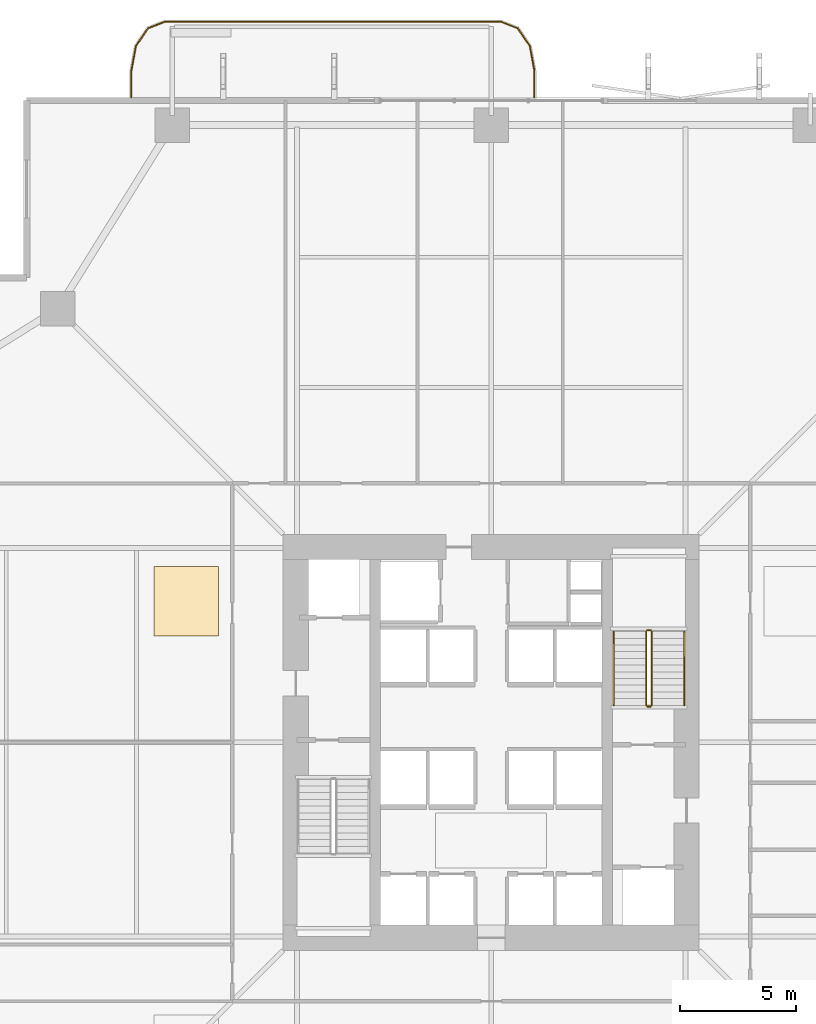
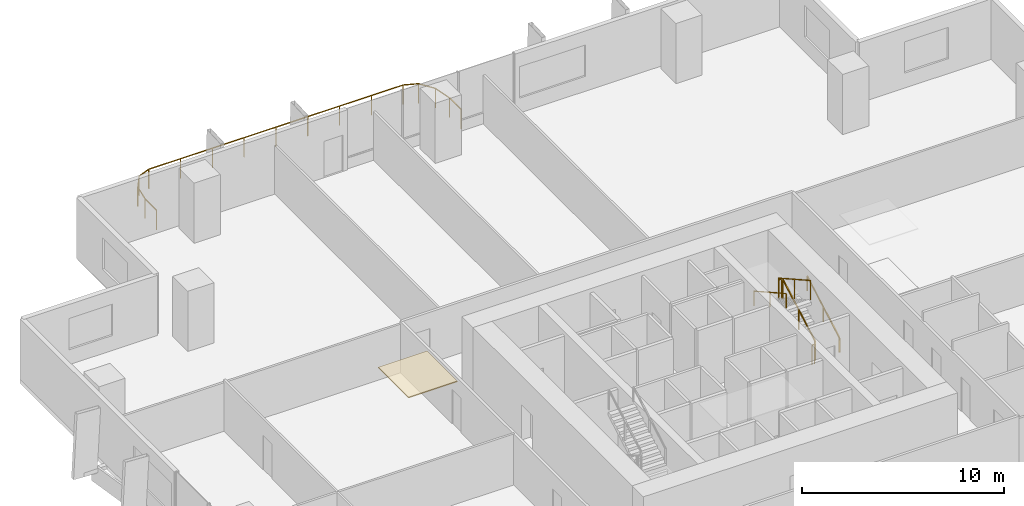
# One storey, part 23 of 24: 7 railings, 1 covering.
"""IFC4 building model written with IfcOpenShell, lengths in metres."""

from ifc_helpers import new_model, si_unit, direction, frame, origin, origin_2d, place, context, subcontext, project, spatial, polyline, rectangle, outline, extrude, material, layer, layer_set, type_object, element, save


model = new_model("IFC4")

# Units and contexts
model_context = context("Model", 3, precision=1e-05, world=origin(), true_north=direction((0.0, 1.0)))
body_context = subcontext(model_context, "Body", "Model", "MODEL_VIEW")
ifc_project = project(units=[si_unit("LENGTHUNIT", "METRE"), si_unit("AREAUNIT", "SQUARE_METRE"), si_unit("VOLUMEUNIT", "CUBIC_METRE"), si_unit("PLANEANGLEUNIT", "RADIAN"), si_unit("MASSUNIT", "GRAM", prefix="KILO")], contexts=[model_context])

# Site, building, storey
site_placement = place(None, origin())
site = spatial("IfcSite", under=ifc_project, at=site_placement, CompositionType="ELEMENT")
building_placement = place(site_placement, origin())
building = spatial("IfcBuilding", under=site, at=building_placement, Name="Belovzor Exchange Tower", CompositionType="ELEMENT")
storey_placement = place(building_placement, frame((0.0, 0.0, 72.89990234375)))
storey = spatial("IfcBuildingStorey", under=building, at=storey_placement, Name="L17", CompositionType="ELEMENT", Elevation=72.89990234375)

# Railings
ifc_material_1 = material(Name="Stainless Steel Grade 304", Category="steel")
railing_type_1 = type_object("IfcRailingType", Name="Brushed Stainless Steel Stair Handrail 900", PredefinedType="HANDRAIL", material=ifc_material_1)
railing_1_placement = place(storey_placement, frame((37.14990234375, 30.39990234375, 0.16259765625)))
element("IfcRailing", 1, at=railing_1_placement, inside=storey, type_object=railing_type_1, Name="L17 ST-2 stair handrail 1", PredefinedType="HANDRAIL", context=body_context, shape_type="SweptSolid", body=[
    extrude(rectangle(XDim=0.048095703125, YDim=0.048095703125, at=origin_2d()), frame((0.0, 0.0, 0.8759765625), z_axis=(0.0, 0.87237847985, 0.488831042279), x_axis=(-1.0, 0.0, 0.0)), (0.0, 0.0, 1.0), 3.656982421875),
    extrude(rectangle(XDim=0.0419921875, YDim=0.0419921875, at=origin_2d()), origin(), (0.0, 0.0, 1.0), 0.851806640625),
    extrude(rectangle(XDim=0.0419921875, YDim=0.0419921875, at=origin_2d()), frame((0.0, 1.59521484375, 0.893798828125)), (0.0, 0.0, 1.0), 0.851806640625),
    extrude(rectangle(XDim=0.0419921875, YDim=0.0419921875, at=origin_2d()), frame((0.0, 3.190185546875, 1.78759765625)), (0.0, 0.0, 1.0), 0.851806640625),
])
railing_2_placement = place(storey_placement, frame((34.10009765625, 33.590087890625, 2.112548828125)))
element("IfcRailing", 2, at=railing_2_placement, inside=storey, type_object=railing_type_1, Name="L17 ST-2 stair handrail 2", PredefinedType="HANDRAIL", context=body_context, shape_type="SweptSolid", body=[
    extrude(rectangle(XDim=0.048095703125, YDim=0.048095703125, at=origin_2d()), frame((0.0, 0.0, 0.8759765625), z_axis=(0.0, -0.87237847985, 0.488831042279), x_axis=(1.0, 0.0, 0.0)), (0.0, 0.0, 1.0), 3.656982421875),
    extrude(rectangle(XDim=0.0419921875, YDim=0.0419921875, at=origin_2d()), origin(), (0.0, 0.0, 1.0), 0.851806640625),
    extrude(rectangle(XDim=0.0419921875, YDim=0.0419921875, at=origin_2d()), frame((0.0, -1.59521484375, 0.893798828125)), (0.0, 0.0, 1.0), 0.851806640625),
    extrude(rectangle(XDim=0.0419921875, YDim=0.0419921875, at=origin_2d()), frame((0.0, -3.190185546875, 1.78759765625)), (0.0, 0.0, 1.0), 0.851806640625),
])
ifc_material_2 = material(Name="Stainless Steel and Laminated Safety Glass", Category="steel")
railing_type_2 = type_object("IfcRailingType", Name="Laminated Glass & Stainless Steel Balcony Balustrade 1200", PredefinedType="BALUSTRADE", material=ifc_material_2)
railing_3_placement = place(storey_placement, frame((30.669921875, 56.7099609375, 0.0)))
element("IfcRailing", 3, at=railing_3_placement, inside=storey, type_object=railing_type_2, Name="GR-1 Balcony Balustrade L17 North", PredefinedType="BALUSTRADE", context=body_context, shape_type="SweptSolid", body=[
    extrude(rectangle(XDim=0.048095703125, YDim=0.048095703125, at=origin_2d()), frame((0.0, 0.0, 1.17578125), z_axis=(0.0, 1.0, 0.0), x_axis=(-1.0, 0.0, 0.0)), (0.0, 0.0, 1.0), 1.133056640625),
    extrude(rectangle(XDim=0.048095703125, YDim=0.048095703125, at=origin_2d()), frame((0.0, 1.133056640625, 1.17578125), z_axis=(-0.180122719713, 0.983644145941, 0.0), x_axis=(-0.983644145941, -0.180122719713, 0.0)), (0.0, 0.0, 1.0), 1.09375),
    extrude(rectangle(XDim=0.048095703125, YDim=0.048095703125, at=origin_2d()), frame((-0.197021484375, 2.208984375, 1.17578125), z_axis=(-0.562768145367, 0.826614792125, 0.0), x_axis=(-0.826614792125, -0.562768145367, 0.0)), (0.0, 0.0, 1.0), 0.9326171875),
    extrude(rectangle(XDim=0.048095703125, YDim=0.048095703125, at=origin_2d()), frame((-0.721923828125, 2.97998046875, 1.17578125), z_axis=(-0.930766990125, 0.365612923861, 0.0), x_axis=(-0.365612923861, -0.930766990125, 0.0)), (0.0, 0.0, 1.0), 0.765869140625),
    extrude(rectangle(XDim=0.048095703125, YDim=0.048095703125, at=origin_2d()), frame((-1.434814453125, 3.260009765625, 1.17578125), z_axis=(-1.0, 0.0, 0.0), x_axis=(0.0, -1.0, 0.0)), (0.0, 0.0, 1.0), 14.570068359375),
    extrude(rectangle(XDim=0.048095703125, YDim=0.048095703125, at=origin_2d()), frame((-16.0048828125, 3.260009765625, 1.17578125), z_axis=(-0.930809580156, -0.365504480807, 0.0), x_axis=(0.365504480807, -0.930809580156, 0.0)), (0.0, 0.0, 1.0), 0.76611328125),
    extrude(rectangle(XDim=0.048095703125, YDim=0.048095703125, at=origin_2d()), frame((-16.718017578125, 2.97998046875, 1.17578125), z_axis=(-0.562768145367, -0.826614792125, 0.0), x_axis=(0.826614792125, -0.562768145367, 0.0)), (0.0, 0.0, 1.0), 0.9326171875),
    extrude(rectangle(XDim=0.048095703125, YDim=0.048095703125, at=origin_2d()), frame((-17.242919921875, 2.208984375, 1.17578125), z_axis=(-0.180122719713, -0.983644145941, 0.0), x_axis=(0.983644145941, -0.180122719713, 0.0)), (0.0, 0.0, 1.0), 1.09375),
    extrude(rectangle(XDim=0.048095703125, YDim=0.048095703125, at=origin_2d()), frame((-17.43994140625, 1.133056640625, 1.17578125), z_axis=(0.0, -1.0, 0.0), x_axis=(1.0, 0.0, 0.0)), (0.0, 0.0, 1.0), 1.133056640625),
    extrude(rectangle(XDim=0.0419921875, YDim=0.0419921875, at=origin_2d()), origin(), (0.0, 0.0, 1.0), 1.15185546875),
    extrude(rectangle(XDim=0.0419921875, YDim=0.0419921875, at=origin_2d()), frame((0.0, 1.133056640625, 0.0)), (0.0, 0.0, 1.0), 1.15185546875),
    extrude(rectangle(XDim=0.0419921875, YDim=0.0419921875, at=origin_2d()), frame((-0.197021484375, 2.208984375, 0.0)), (0.0, 0.0, 1.0), 1.15185546875),
    extrude(rectangle(XDim=0.0419921875, YDim=0.0419921875, at=origin_2d()), frame((-0.721923828125, 2.97998046875, 0.0)), (0.0, 0.0, 1.0), 1.15185546875),
    extrude(rectangle(XDim=0.0419921875, YDim=0.0419921875, at=origin_2d()), frame((-1.434814453125, 3.260009765625, 0.0)), (0.0, 0.0, 1.0), 1.15185546875),
    extrude(rectangle(XDim=0.0419921875, YDim=0.0419921875, at=origin_2d()), frame((-3.256103515625, 3.260009765625, 0.0)), (0.0, 0.0, 1.0), 1.15185546875),
    extrude(rectangle(XDim=0.0419921875, YDim=0.0419921875, at=origin_2d()), frame((-5.077392578125, 3.260009765625, 0.0)), (0.0, 0.0, 1.0), 1.15185546875),
    extrude(rectangle(XDim=0.0419921875, YDim=0.0419921875, at=origin_2d()), frame((-6.898681640625, 3.260009765625, 0.0)), (0.0, 0.0, 1.0), 1.15185546875),
    extrude(rectangle(XDim=0.0419921875, YDim=0.0419921875, at=origin_2d()), frame((-8.7197265625, 3.260009765625, 0.0)), (0.0, 0.0, 1.0), 1.15185546875),
    extrude(rectangle(XDim=0.0419921875, YDim=0.0419921875, at=origin_2d()), frame((-10.541015625, 3.260009765625, 0.0)), (0.0, 0.0, 1.0), 1.15185546875),
    extrude(rectangle(XDim=0.0419921875, YDim=0.0419921875, at=origin_2d()), frame((-12.3623046875, 3.260009765625, 0.0)), (0.0, 0.0, 1.0), 1.15185546875),
    extrude(rectangle(XDim=0.0419921875, YDim=0.0419921875, at=origin_2d()), frame((-14.18359375, 3.260009765625, 0.0)), (0.0, 0.0, 1.0), 1.15185546875),
    extrude(rectangle(XDim=0.0419921875, YDim=0.0419921875, at=origin_2d()), frame((-16.0048828125, 3.260009765625, 0.0)), (0.0, 0.0, 1.0), 1.15185546875),
    extrude(rectangle(XDim=0.0419921875, YDim=0.0419921875, at=origin_2d()), frame((-16.718017578125, 2.97998046875, 0.0)), (0.0, 0.0, 1.0), 1.15185546875),
    extrude(rectangle(XDim=0.0419921875, YDim=0.0419921875, at=origin_2d()), frame((-17.242919921875, 2.208984375, 0.0)), (0.0, 0.0, 1.0), 1.15185546875),
    extrude(rectangle(XDim=0.0419921875, YDim=0.0419921875, at=origin_2d()), frame((-17.43994140625, 1.133056640625, 0.0)), (0.0, 0.0, 1.0), 1.15185546875),
    extrude(rectangle(XDim=0.0419921875, YDim=0.0419921875, at=origin_2d()), frame((-17.43994140625, 0.0, 0.0)), (0.0, 0.0, 1.0), 1.15185546875),
])
ifc_material_3 = material(Name="Steel S355", Category="steel")
railing_type_3 = type_object("IfcRailingType", Name="Painted Steel Stairwell Guardrail 1200", PredefinedType="GUARDRAIL", material=ifc_material_3)
railing_4_placement = place(storey_placement, frame((35.75, 30.39990234375, 0.16259765625)))
element("IfcRailing", 4, at=railing_4_placement, inside=storey, type_object=railing_type_3, Name="L17 ST-2 stair guard 1", PredefinedType="GUARDRAIL", context=body_context, shape_type="SweptSolid", body=[
    extrude(rectangle(XDim=0.048095703125, YDim=0.048095703125, at=origin_2d()), frame((0.0, 0.0, 1.17578125), z_axis=(0.0, 0.87237847985, 0.488831042279), x_axis=(-1.0, 0.0, 0.0)), (0.0, 0.0, 1.0), 3.656982421875),
    extrude(rectangle(XDim=0.0419921875, YDim=0.0419921875, at=origin_2d()), origin(), (0.0, 0.0, 1.0), 1.15185546875),
    extrude(rectangle(XDim=0.0419921875, YDim=0.0419921875, at=origin_2d()), frame((0.0, 1.59521484375, 0.893798828125)), (0.0, 0.0, 1.0), 1.15185546875),
    extrude(rectangle(XDim=0.0419921875, YDim=0.0419921875, at=origin_2d()), frame((0.0, 3.190185546875, 1.78759765625)), (0.0, 0.0, 1.0), 1.15185546875),
])
railing_5_placement = place(storey_placement, frame((35.699951171875, 33.639892578125, 1.9501953125)))
element("IfcRailing", 5, at=railing_5_placement, inside=storey, type_object=railing_type_3, Name="L17 ST-2 stair guard 2", PredefinedType="GUARDRAIL", context=body_context, shape_type="SweptSolid", body=[
    extrude(rectangle(XDim=0.048095703125, YDim=0.048095703125, at=origin_2d()), frame((0.0, 0.0, 1.17578125), z_axis=(-1.0, 0.0, 0.0), x_axis=(0.0, -1.0, 0.0)), (0.0, 0.0, 1.0), 0.14990234375),
    extrude(rectangle(XDim=0.0419921875, YDim=0.0419921875, at=origin_2d()), origin(), (0.0, 0.0, 1.0), 1.15185546875),
    extrude(rectangle(XDim=0.0419921875, YDim=0.0419921875, at=origin_2d()), frame((-0.14990234375, 0.0, 0.0)), (0.0, 0.0, 1.0), 1.15185546875),
])
railing_6_placement = place(storey_placement, frame((35.5, 33.590087890625, 2.112548828125)))
element("IfcRailing", 6, at=railing_6_placement, inside=storey, type_object=railing_type_3, Name="L17 ST-2 stair guard 3", PredefinedType="GUARDRAIL", context=body_context, shape_type="SweptSolid", body=[
    extrude(rectangle(XDim=0.048095703125, YDim=0.048095703125, at=origin_2d()), frame((0.0, 0.0, 1.17578125), z_axis=(0.0, -0.87237847985, 0.488831042279), x_axis=(1.0, 0.0, 0.0)), (0.0, 0.0, 1.0), 3.656982421875),
    extrude(rectangle(XDim=0.0419921875, YDim=0.0419921875, at=origin_2d()), origin(), (0.0, 0.0, 1.0), 1.15185546875),
    extrude(rectangle(XDim=0.0419921875, YDim=0.0419921875, at=origin_2d()), frame((0.0, -1.59521484375, 0.893798828125)), (0.0, 0.0, 1.0), 1.15185546875),
    extrude(rectangle(XDim=0.0419921875, YDim=0.0419921875, at=origin_2d()), frame((0.0, -3.190185546875, 1.78759765625)), (0.0, 0.0, 1.0), 1.15185546875),
])
railing_7_placement = place(storey_placement, frame((35.699951171875, 30.35009765625, 0.0)))
element("IfcRailing", 7, at=railing_7_placement, inside=storey, type_object=railing_type_3, Name="L17 ST-2 stair guard 4", PredefinedType="GUARDRAIL", context=body_context, shape_type="SweptSolid", body=[
    extrude(rectangle(XDim=0.048095703125, YDim=0.048095703125, at=origin_2d()), frame((0.0, 0.0, 1.17578125), z_axis=(-1.0, 0.0, 0.0), x_axis=(0.0, -1.0, 0.0)), (0.0, 0.0, 1.0), 0.14990234375),
    extrude(rectangle(XDim=0.0419921875, YDim=0.0419921875, at=origin_2d()), origin(), (0.0, 0.0, 1.0), 1.15185546875),
    extrude(rectangle(XDim=0.0419921875, YDim=0.0419921875, at=origin_2d()), frame((-0.14990234375, 0.0, 0.0)), (0.0, 0.0, 1.0), 1.15185546875),
])

# Covering
ifc_material_4 = material(Name="Perforated Powder-Coated Aluminium", Category="aluminium")
ifc_layer = layer(ifc_material_4, 0.06005859375)
ifc_layer_set = layer_set([ifc_layer], Name="Perforated Powder-Coated Aluminium")
covering_type = type_object("IfcCoveringType", Name="Perforated Acoustic Metal Tile Suspended Ceiling 60", PredefinedType="CEILING", material=ifc_layer_set)
covering_placement = place(storey_placement, frame((0.0, 0.0, 3.590087890625)))
element("IfcCovering", 8, at=covering_placement, inside=storey, type_object=covering_type, Name="CLG-AC60 Suspended Ceiling CLG-L17-Z3", PredefinedType="CEILING", context=body_context, shape_type="SweptSolid", body=[
    extrude(outline(polyline([(14.199951171875, 33.39990234375), (17.0, 33.39990234375), (17.0, 36.39990234375), (14.199951171875, 36.39990234375), (14.199951171875, 33.39990234375)])), origin(), (0.0, 0.0, 1.0), 0.06005859375),
])

save(model, "model.ifc")
